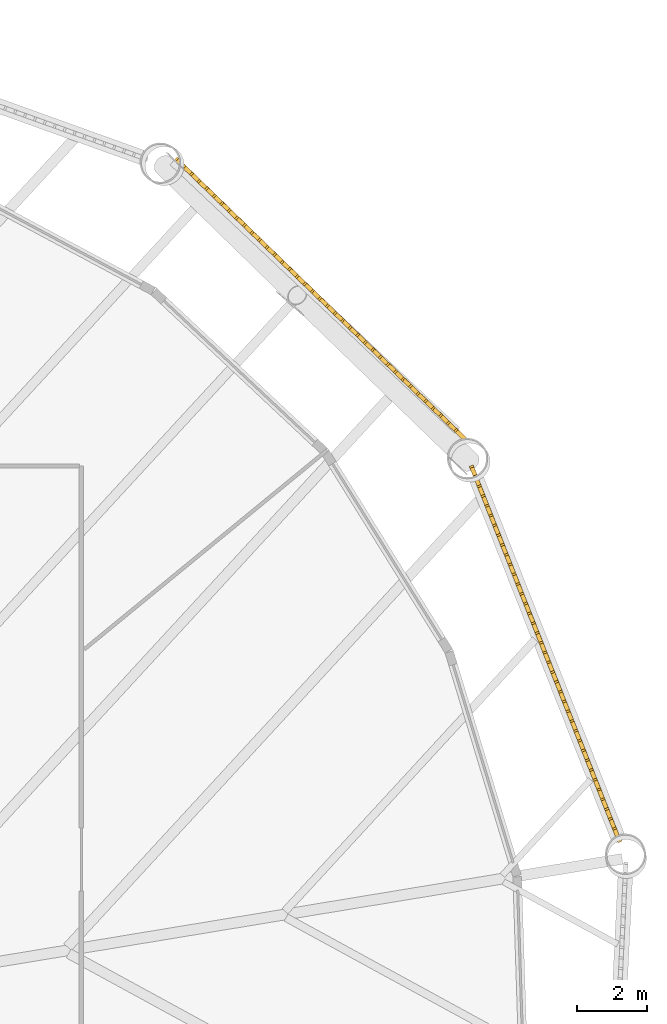
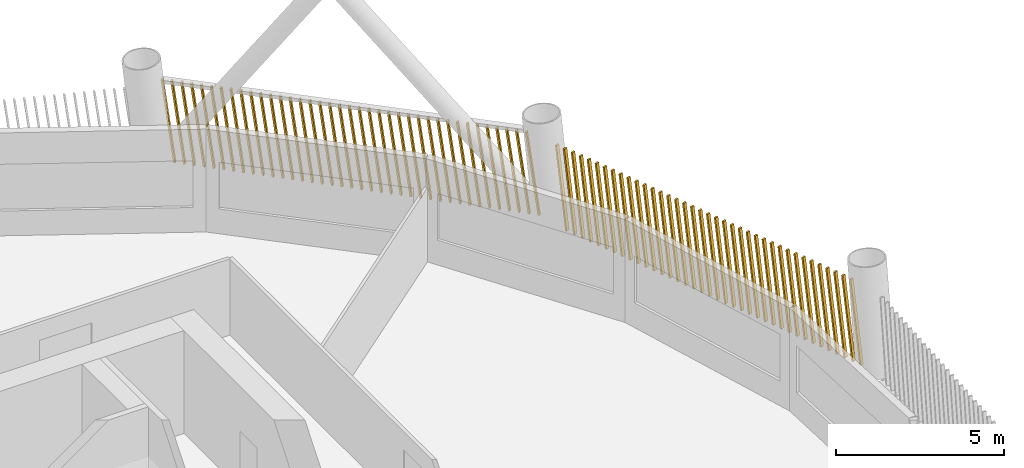
# One storey, part 23 of 24: 2 shading devices.
"""IFC4 building model written with IfcOpenShell, lengths in metres."""

from ifc_helpers import new_model, si_unit, direction, frame, frame_2d, origin, place, context, subcontext, project, spatial, rectangle, composite_profile, extrude, material, type_object, element, save


model = new_model("IFC4")

# Units and contexts
model_context = context("Model", 3, precision=1e-05, world=origin(), true_north=direction((0.0, 1.0)))
body_context = subcontext(model_context, "Body", "Model", "MODEL_VIEW")
ifc_project = project(units=[si_unit("LENGTHUNIT", "METRE"), si_unit("AREAUNIT", "SQUARE_METRE"), si_unit("VOLUMEUNIT", "CUBIC_METRE"), si_unit("PLANEANGLEUNIT", "RADIAN"), si_unit("MASSUNIT", "GRAM", prefix="KILO")], contexts=[model_context])

# Site, building, storey
site_placement = place(None, origin())
site = spatial("IfcSite", under=ifc_project, at=site_placement, CompositionType="ELEMENT")
building_placement = place(site_placement, origin())
building = spatial("IfcBuilding", under=site, at=building_placement, Name="Tarsis Ring Headquarters", CompositionType="ELEMENT")
storey_placement = place(building_placement, frame((0.0, 0.0, 92.800048828125)))
storey = spatial("IfcBuildingStorey", under=building, at=storey_placement, Name="L20", CompositionType="ELEMENT", Elevation=92.800048828125)

# Shading devices
ifc_material = material(Name="Terracotta baguette", Category="masonry")
shading_device_type = type_object("IfcShadingDeviceType", Name="Terracotta baguette screen", PredefinedType="USERDEFINED", material=ifc_material)
shading_device_1_placement = place(storey_placement, frame((28.478271484375, 5.189453125, 0.0), z_axis=(0.0, 0.0, 1.0), x_axis=(-0.367010309278, 0.930222463375, 0.0)))
element("IfcShadingDevice", 1, at=shading_device_1_placement, inside=storey, type_object=shading_device_type, Name="Baguette screen L20-11", ObjectType="Terracotta baguette screen", PredefinedType="USERDEFINED", context=body_context, shape_type="SweptSolid", body=[
    extrude(composite_profile([rectangle(XDim=0.06005859375, YDim=0.1201171875, at=frame_2d((0.030029296875, 0.0))), rectangle(XDim=0.06005859375, YDim=0.1201171875, at=frame_2d((0.33251953125, 0.0))), rectangle(XDim=0.06005859375, YDim=0.1201171875, at=frame_2d((0.634765625, 0.0))), rectangle(XDim=0.06005859375, YDim=0.1201171875, at=frame_2d((0.937255859375, 0.0))), rectangle(XDim=0.06005859375, YDim=0.1201171875, at=frame_2d((1.239501953125, 0.0))), rectangle(XDim=0.06005859375, YDim=0.1201171875, at=frame_2d((1.5419921875, 0.0))), rectangle(XDim=0.06005859375, YDim=0.1201171875, at=frame_2d((1.844482421875, 0.0))), rectangle(XDim=0.06005859375, YDim=0.1201171875, at=frame_2d((2.146728515625, 0.0))), rectangle(XDim=0.06005859375, YDim=0.1201171875, at=frame_2d((2.44921875, 0.0))), rectangle(XDim=0.06005859375, YDim=0.1201171875, at=frame_2d((2.751708984375, 0.0))), rectangle(XDim=0.06005859375, YDim=0.1201171875, at=frame_2d((3.053955078125, 0.0))), rectangle(XDim=0.06005859375, YDim=0.1201171875, at=frame_2d((3.3564453125, 0.0))), rectangle(XDim=0.06005859375, YDim=0.1201171875, at=frame_2d((3.65869140625, 0.0))), rectangle(XDim=0.06005859375, YDim=0.1201171875, at=frame_2d((3.961181640625, 0.0))), rectangle(XDim=0.06005859375, YDim=0.1201171875, at=frame_2d((4.263671875, 0.0))), rectangle(XDim=0.06005859375, YDim=0.1201171875, at=frame_2d((4.56591796875, 0.0))), rectangle(XDim=0.06005859375, YDim=0.1201171875, at=frame_2d((4.868408203125, 0.0))), rectangle(XDim=0.06005859375, YDim=0.1201171875, at=frame_2d((5.1708984375, 0.0))), rectangle(XDim=0.06005859375, YDim=0.1201171875, at=frame_2d((5.47314453125, 0.0))), rectangle(XDim=0.06005859375, YDim=0.1201171875, at=frame_2d((5.775634765625, 0.0))), rectangle(XDim=0.06005859375, YDim=0.1201171875, at=frame_2d((6.077880859375, 0.0))), rectangle(XDim=0.06005859375, YDim=0.1201171875, at=frame_2d((6.38037109375, 0.0))), rectangle(XDim=0.06005859375, YDim=0.1201171875, at=frame_2d((6.682861328125, 0.0))), rectangle(XDim=0.06005859375, YDim=0.1201171875, at=frame_2d((6.985107421875, 0.0))), rectangle(XDim=0.06005859375, YDim=0.1201171875, at=frame_2d((7.28759765625, 0.0))), rectangle(XDim=0.06005859375, YDim=0.1201171875, at=frame_2d((7.590087890625, 0.0))), rectangle(XDim=0.06005859375, YDim=0.1201171875, at=frame_2d((7.892333984375, 0.0))), rectangle(XDim=0.06005859375, YDim=0.1201171875, at=frame_2d((8.19482421875, 0.0))), rectangle(XDim=0.06005859375, YDim=0.1201171875, at=frame_2d((8.4970703125, 0.0))), rectangle(XDim=0.06005859375, YDim=0.1201171875, at=frame_2d((8.799560546875, 0.0))), rectangle(XDim=0.06005859375, YDim=0.1201171875, at=frame_2d((9.10205078125, 0.0))), rectangle(XDim=0.06005859375, YDim=0.1201171875, at=frame_2d((9.404296875, 0.0))), rectangle(XDim=0.06005859375, YDim=0.1201171875, at=frame_2d((9.706787109375, 0.0))), rectangle(XDim=0.06005859375, YDim=0.1201171875, at=frame_2d((10.00927734375, 0.0))), rectangle(XDim=0.06005859375, YDim=0.1201171875, at=frame_2d((10.3115234375, 0.0))), rectangle(XDim=0.06005859375, YDim=0.1201171875, at=frame_2d((10.614013671875, 0.0))), rectangle(XDim=0.06005859375, YDim=0.1201171875, at=frame_2d((10.916259765625, 0.0))), rectangle(XDim=0.06005859375, YDim=0.1201171875, at=frame_2d((11.21875, 0.0)))]), origin(), (0.129810904014, 0.000883634532, 0.991538374643), 2.977783203125),
])
shading_device_2_placement = place(storey_placement, frame((24.068603515625, 16.73583984375, 0.0), z_axis=(0.0, 0.0, 1.0), x_axis=(-0.717814046358, 0.696219289869, 0.0)))
element("IfcShadingDevice", 2, at=shading_device_2_placement, inside=storey, type_object=shading_device_type, Name="Baguette screen L20-12", ObjectType="Terracotta baguette screen", PredefinedType="USERDEFINED", context=body_context, shape_type="SweptSolid", body=[
    extrude(composite_profile([rectangle(XDim=0.06005859375, YDim=0.1201171875, at=frame_2d((0.030029296875, 0.0))), rectangle(XDim=0.06005859375, YDim=0.1201171875, at=frame_2d((0.33251953125, 0.0))), rectangle(XDim=0.06005859375, YDim=0.1201171875, at=frame_2d((0.634765625, 0.0))), rectangle(XDim=0.06005859375, YDim=0.1201171875, at=frame_2d((0.937255859375, 0.0))), rectangle(XDim=0.06005859375, YDim=0.1201171875, at=frame_2d((1.239501953125, 0.0))), rectangle(XDim=0.06005859375, YDim=0.1201171875, at=frame_2d((1.5419921875, 0.0))), rectangle(XDim=0.06005859375, YDim=0.1201171875, at=frame_2d((1.844482421875, 0.0))), rectangle(XDim=0.06005859375, YDim=0.1201171875, at=frame_2d((2.146728515625, 0.0))), rectangle(XDim=0.06005859375, YDim=0.1201171875, at=frame_2d((2.44921875, 0.0))), rectangle(XDim=0.06005859375, YDim=0.1201171875, at=frame_2d((2.751708984375, 0.0))), rectangle(XDim=0.06005859375, YDim=0.1201171875, at=frame_2d((3.053955078125, 0.0))), rectangle(XDim=0.06005859375, YDim=0.1201171875, at=frame_2d((3.3564453125, 0.0))), rectangle(XDim=0.06005859375, YDim=0.1201171875, at=frame_2d((3.65869140625, 0.0))), rectangle(XDim=0.06005859375, YDim=0.1201171875, at=frame_2d((3.961181640625, 0.0))), rectangle(XDim=0.06005859375, YDim=0.1201171875, at=frame_2d((4.263671875, 0.0))), rectangle(XDim=0.06005859375, YDim=0.1201171875, at=frame_2d((4.56591796875, 0.0))), rectangle(XDim=0.06005859375, YDim=0.1201171875, at=frame_2d((4.868408203125, 0.0))), rectangle(XDim=0.06005859375, YDim=0.1201171875, at=frame_2d((5.1708984375, 0.0))), rectangle(XDim=0.06005859375, YDim=0.1201171875, at=frame_2d((5.47314453125, 0.0))), rectangle(XDim=0.06005859375, YDim=0.1201171875, at=frame_2d((5.775634765625, 0.0))), rectangle(XDim=0.06005859375, YDim=0.1201171875, at=frame_2d((6.077880859375, 0.0))), rectangle(XDim=0.06005859375, YDim=0.1201171875, at=frame_2d((6.38037109375, 0.0))), rectangle(XDim=0.06005859375, YDim=0.1201171875, at=frame_2d((6.682861328125, 0.0))), rectangle(XDim=0.06005859375, YDim=0.1201171875, at=frame_2d((6.985107421875, 0.0))), rectangle(XDim=0.06005859375, YDim=0.1201171875, at=frame_2d((7.28759765625, 0.0))), rectangle(XDim=0.06005859375, YDim=0.1201171875, at=frame_2d((7.590087890625, 0.0))), rectangle(XDim=0.06005859375, YDim=0.1201171875, at=frame_2d((7.892333984375, 0.0))), rectangle(XDim=0.06005859375, YDim=0.1201171875, at=frame_2d((8.19482421875, 0.0))), rectangle(XDim=0.06005859375, YDim=0.1201171875, at=frame_2d((8.4970703125, 0.0))), rectangle(XDim=0.06005859375, YDim=0.1201171875, at=frame_2d((8.799560546875, 0.0))), rectangle(XDim=0.06005859375, YDim=0.1201171875, at=frame_2d((9.10205078125, 0.0))), rectangle(XDim=0.06005859375, YDim=0.1201171875, at=frame_2d((9.404296875, 0.0))), rectangle(XDim=0.06005859375, YDim=0.1201171875, at=frame_2d((9.706787109375, 0.0))), rectangle(XDim=0.06005859375, YDim=0.1201171875, at=frame_2d((10.00927734375, 0.0))), rectangle(XDim=0.06005859375, YDim=0.1201171875, at=frame_2d((10.3115234375, 0.0))), rectangle(XDim=0.06005859375, YDim=0.1201171875, at=frame_2d((10.614013671875, 0.0))), rectangle(XDim=0.06005859375, YDim=0.1201171875, at=frame_2d((10.916259765625, 0.0))), rectangle(XDim=0.06005859375, YDim=0.1201171875, at=frame_2d((11.21875, 0.0)))]), origin(), (0.131493831049, 0.000892526654, 0.991316587066), 2.978515625),
])

save(model, "model.ifc")
